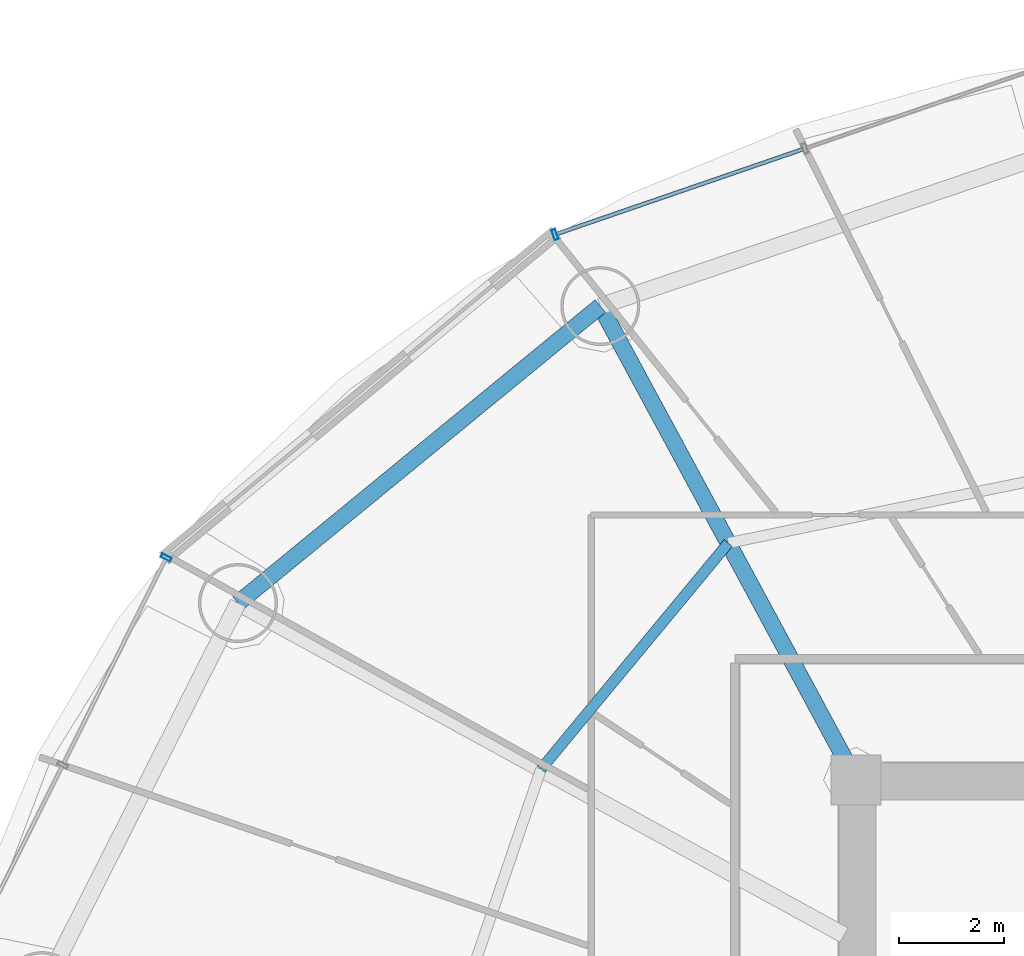
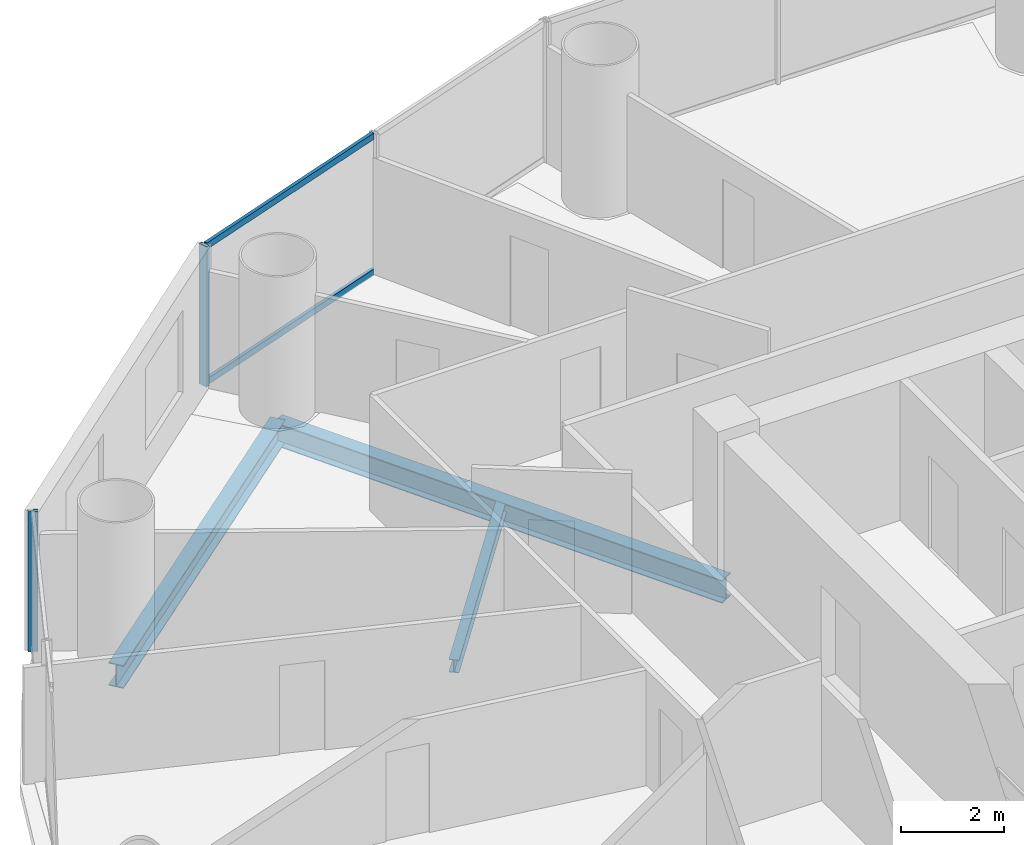
# One storey, part 16 of 29: 4 members, 3 beams, 2 elements without a shape of their own.
"""IFC4 building model written with IfcOpenShell, lengths in metres."""

from ifc_helpers import new_model, si_unit, direction, frame, origin, origin_2d, place, context, subcontext, project, spatial, hollow_rectangle, i_section, extrude, source, transform, mapped, material, material_profile, profile_set, type_object, element, aggregate, save


model = new_model("IFC4")

# Units and contexts
model_context = context("Model", 3, precision=1e-05, world=origin(), true_north=direction((-0.2419218956, 0.970295726276)))
body_context = subcontext(model_context, "Body", "Model", "MODEL_VIEW")
ifc_project = project(units=[si_unit("LENGTHUNIT", "METRE"), si_unit("AREAUNIT", "SQUARE_METRE"), si_unit("VOLUMEUNIT", "CUBIC_METRE"), si_unit("PLANEANGLEUNIT", "RADIAN"), si_unit("MASSUNIT", "GRAM", prefix="KILO")], contexts=[model_context])

# Site, building, storey
site_placement = place(None, origin())
site = spatial("IfcSite", under=ifc_project, at=site_placement, CompositionType="ELEMENT")
building_placement = place(site_placement, origin())
building = spatial("IfcBuilding", under=site, at=building_placement, Name="Cobrevalo Terracotta Tower", CompositionType="ELEMENT")
storey_placement = place(building_placement, frame((0.0, 0.0, 119.39990234375)))
storey = spatial("IfcBuildingStorey", under=building, at=storey_placement, Name="L31", CompositionType="ELEMENT", Elevation=119.39990234375)

# Beams
ifc_material_1 = material(Name="Steel S355", Category="steel")
ifc_material_profile_1 = material_profile(ifc_material_1, i_section(OverallWidth=0.31201171875, OverallDepth=0.54296875, WebThickness=0.0126953125, FlangeThickness=0.020263671875, at=origin_2d()), Name="W 530x150")
ifc_profile_set_1 = profile_set([ifc_material_profile_1], Name="Steel S355")
beam_type_1 = type_object("IfcBeamType", Name="Structural Beam W 530x150 (Steel S355)", PredefinedType="BEAM", material=ifc_profile_set_1)
beam_1_placement = place(storey_placement, frame((24.138427734375, 43.803466796875, -0.54638671875), z_axis=(0.475128224431, -0.879916570107, 0.0), x_axis=(0.879916570107, 0.475128224431, 0.0)))
element("IfcBeam", 1, at=beam_1_placement, inside=storey, type_object=beam_type_1, Name="L31 radial floor girder 06", PredefinedType="BEAM", context=body_context, shape_type="SweptSolid", body=[
    extrude(i_section(OverallWidth=0.31201171875, OverallDepth=0.54296875, WebThickness=0.0126953125, FlangeThickness=0.020263671875, at=origin_2d()), origin(), (0.0, 0.0, 1.0), 10.232177734375),
])
ifc_material_profile_2 = material_profile(ifc_material_1, i_section(OverallWidth=0.2041015625, OverallDepth=0.305908203125, WebThickness=0.008544921875, FlangeThickness=0.0146484375, at=origin_2d()), Name="W 310x67")
ifc_profile_set_2 = profile_set([ifc_material_profile_2], Name="Steel S355")
beam_type_2 = type_object("IfcBeamType", Name="Structural Joist W 310x67 (Steel S355)", PredefinedType="JOIST", material=ifc_profile_set_2)
beam_2_placement = place(storey_placement, frame((26.5693359375, 39.3017578125, -0.427978515625), z_axis=(-0.6379592588, -0.77007011636, 0.0), x_axis=(0.77007011636, -0.6379592588, 0.0)))
element("IfcBeam", 2, at=beam_2_placement, inside=storey, type_object=beam_type_2, Name="L31 circumferential secondary floor joist 06", PredefinedType="JOIST", context=body_context, shape_type="SweptSolid", body=[
    extrude(i_section(OverallWidth=0.2041015625, OverallDepth=0.305908203125, WebThickness=0.008544921875, FlangeThickness=0.0146484375, at=origin_2d()), origin(), (0.0, 0.0, 1.0), 5.575439453125),
])
ifc_material_profile_3 = material_profile(ifc_material_1, i_section(OverallWidth=0.31201171875, OverallDepth=0.54296875, WebThickness=0.0126953125, FlangeThickness=0.020263671875, at=origin_2d()), Name="W 530x150")
ifc_profile_set_3 = profile_set([ifc_material_profile_3], Name="Steel S355")
beam_type_3 = type_object("IfcBeamType", Name="Structural Spandrel W 530x150 (Steel S355)", PredefinedType="SPANDREL", material=ifc_profile_set_3)
beam_3_placement = place(storey_placement, frame((24.138427734375, 43.803466796875, -0.54638671875), z_axis=(-0.773400923541, -0.633917196064, 0.0), x_axis=(0.633917196064, -0.773400923541, 0.0)))
element("IfcBeam", 3, at=beam_3_placement, inside=storey, type_object=beam_type_3, Name="L31 perimeter ring spandrel 06", PredefinedType="SPANDREL", context=body_context, shape_type="SweptSolid", body=[
    extrude(i_section(OverallWidth=0.31201171875, OverallDepth=0.54296875, WebThickness=0.0126953125, FlangeThickness=0.020263671875, at=origin_2d()), origin(), (0.0, 0.0, 1.0), 8.900390625),
])

# Curtain wall, members
ifc_material_2 = material(Name="Anodized aluminium", Category="aluminium")
curtain_wall_type = type_object("IfcCurtainWallType", Name="Lower-tower unitised acoustic low-E curtain wall CW-U1", PredefinedType="NOTDEFINED", material=ifc_material_2)
curtain_wall_1_placement = place(storey_placement, origin())
curtain_wall_1 = element("IfcCurtainWall", 4, at=curtain_wall_1_placement, inside=storey, type_object=curtain_wall_type, Name="L31 curtain wall CW-L31-S05", PredefinedType="NOTDEFINED")
ifc_material_profile_4 = material_profile(ifc_material_2, hollow_rectangle(XDim=0.074951171875, YDim=0.14990234375, WallThickness=0.00439453125, at=origin_2d()), Name="CWT 75x150")
ifc_profile_set_4 = profile_set([ifc_material_profile_4], Name="Anodized aluminium")
member_type_1 = type_object("IfcMemberType", Name="Tower unitised aluminium transom 75x150", PredefinedType="USERDEFINED", material=ifc_profile_set_4)
shared_shape_1 = source(origin(), body_context, "Body", "SweptSolid", [
    extrude(hollow_rectangle(XDim=0.074951171875, YDim=0.14990234375, WallThickness=0.00439453125, at=origin_2d()), origin(), (0.0, 0.0, 1.0), 4.944580078125),
])
member_1_placement = place(storey_placement, frame((27.98974609375, 46.78515625, 0.050048828125), z_axis=(-0.945597859971, -0.32533780478, 0.0), x_axis=(0.32533780478, -0.945597859971, 0.0)))
member_1 = element("IfcMember", 5, at=member_1_placement, type_object=member_type_1, Name="CW-L31-S05 transom B02-T1", ObjectType="TRANSOM", PredefinedType="USERDEFINED", context=body_context, shape_type="MappedRepresentation", body=[
    mapped(shared_shape_1, transform((0.0, 0.0, 0.0), scale=1.0)),
])
member_2_placement = place(storey_placement, frame((27.98974609375, 46.78515625, 3.275146484375), z_axis=(-0.945597859971, -0.32533780478, 0.0), x_axis=(0.32533780478, -0.945597859971, 0.0)))
member_2 = element("IfcMember", 6, at=member_2_placement, type_object=member_type_1, Name="CW-L31-S05 transom B02-T2", ObjectType="TRANSOM", PredefinedType="USERDEFINED", context=body_context, shape_type="MappedRepresentation", body=[
    mapped(shared_shape_1, transform((0.0, 0.0, 0.0), scale=1.0)),
])
ifc_material_profile_5 = material_profile(ifc_material_2, hollow_rectangle(XDim=0.074951171875, YDim=0.199951171875, WallThickness=0.0048828125, at=origin_2d()), Name="CWM 75x200")
ifc_profile_set_5 = profile_set([ifc_material_profile_5], Name="Anodized aluminium")
member_type_2 = type_object("IfcMemberType", Name="Lower/mid tower unitised mullion 75x200", PredefinedType="MULLION", material=ifc_profile_set_5)
shared_shape_2 = source(origin(), body_context, "Body", "SweptSolid", [
    extrude(hollow_rectangle(XDim=0.074951171875, YDim=0.199951171875, WallThickness=0.0048828125, at=origin_2d()), origin(), (0.0, 0.0, 1.0), 3.3251953125),
])
member_3_placement = place(storey_placement, frame((23.2763671875, 45.16357421875, 0.0), z_axis=(0.0, 0.0, 1.0), x_axis=(-0.94559809868, -0.325337110968, 0.0)))
member_3 = element("IfcMember", 7, at=member_3_placement, type_object=member_type_2, Name="CW-L31-S05 vertical mullion 03", PredefinedType="MULLION", context=body_context, shape_type="MappedRepresentation", body=[
    mapped(shared_shape_2, transform((0.0, 0.0, 0.0), scale=1.0)),
])
aggregate(curtain_wall_1, [member_3, member_1, member_2])

# Curtain wall, member
curtain_wall_2_placement = place(storey_placement, origin())
curtain_wall_2 = element("IfcCurtainWall", 8, at=curtain_wall_2_placement, inside=storey, type_object=curtain_wall_type, Name="L31 curtain wall CW-L31-S07", PredefinedType="NOTDEFINED")
member_4_placement = place(storey_placement, frame((15.889892578125, 39.025634765625, 0.0), z_axis=(0.0, 0.0, 1.0), x_axis=(-0.446260290227, -0.894903208937, 0.0)))
member_4 = element("IfcMember", 9, at=member_4_placement, type_object=member_type_2, Name="CW-L31-S07 vertical mullion 01", PredefinedType="MULLION", context=body_context, shape_type="MappedRepresentation", body=[
    mapped(shared_shape_2, transform((0.0, 0.0, 0.0), scale=1.0)),
])
aggregate(curtain_wall_2, [member_4])

save(model, "model.ifc")
